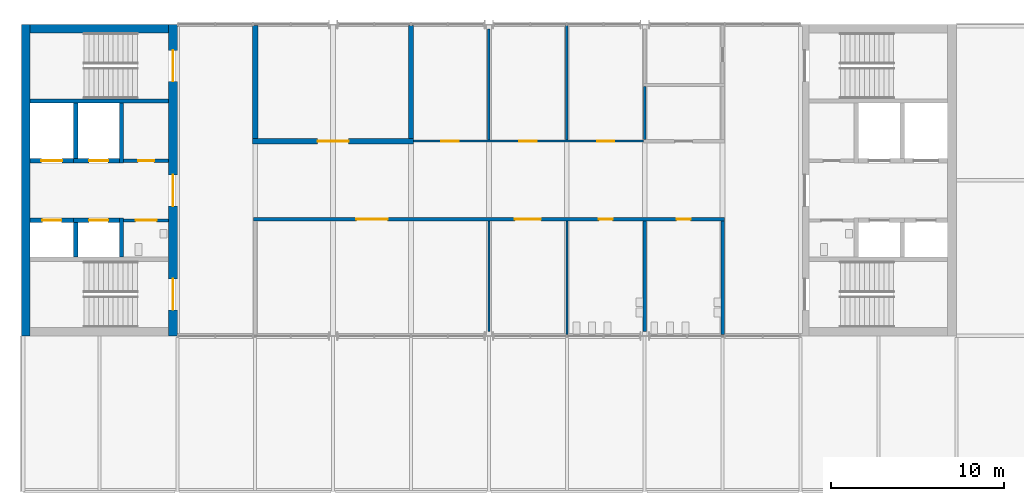
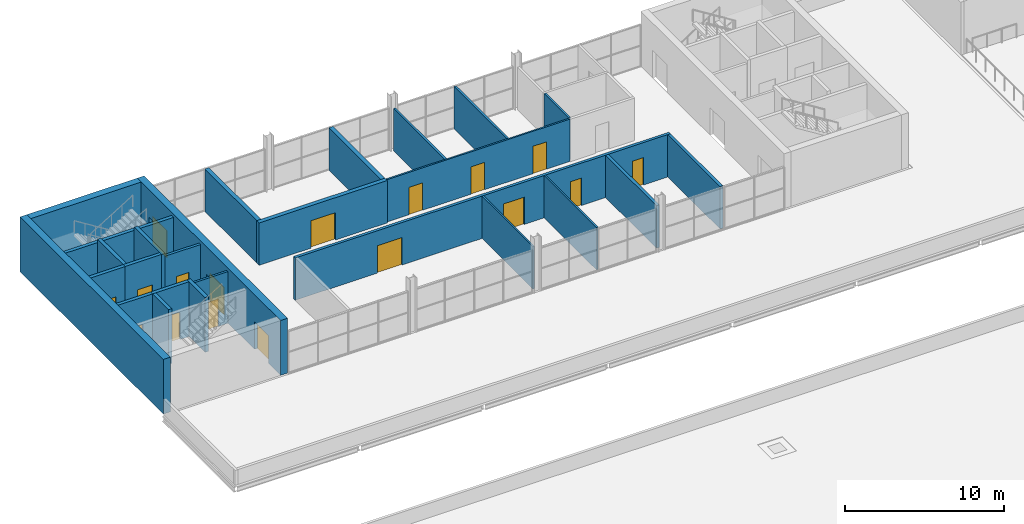
# One storey, part 43 of 50: 26 walls, 17 doors, 17 openings.
"""IFC4 building model written with IfcOpenShell, lengths in metres."""

from ifc_helpers import new_model, si_unit, direction, frame, frame_2d, origin, place, context, subcontext, project, spatial, rectangle, extrude, material, layer, layer_set, type_object, element, fill, save


model = new_model("IFC4")

# Units and contexts
model_context = context("Model", 3, precision=1e-05, world=origin(), true_north=direction((0.0, 1.0)))
body_context = subcontext(model_context, "Body", "Model", "MODEL_VIEW")
ifc_project = project(units=[si_unit("LENGTHUNIT", "METRE"), si_unit("AREAUNIT", "SQUARE_METRE"), si_unit("VOLUMEUNIT", "CUBIC_METRE"), si_unit("PLANEANGLEUNIT", "RADIAN"), si_unit("MASSUNIT", "GRAM", prefix="KILO")], contexts=[model_context])

# Site, building, storey
site_placement = place(None, origin())
site = spatial("IfcSite", under=ifc_project, at=site_placement, CompositionType="ELEMENT")
building_placement = place(site_placement, origin())
building = spatial("IfcBuilding", under=site, at=building_placement, Name="Corbel Yard City Hall", CompositionType="ELEMENT")
storey_placement = place(building_placement, frame((0.0, 0.0, 15.0)))
storey = spatial("IfcBuildingStorey", under=building, at=storey_placement, Name="L03", CompositionType="ELEMENT", Elevation=15.0)

# Walls
ifc_material_1 = material(Name="Concrete N40 (40 MPa)", Category="concrete")
ifc_layer_1 = layer(ifc_material_1, 0.25)
ifc_layer_set_1 = layer_set([ifc_layer_1], Name="Concrete N40 (40 MPa)")
wall_type_1 = type_object("IfcWallType", Name="IW2", PredefinedType="SOLIDWALL", material=ifc_layer_set_1)
wall_1_placement = place(storey_placement, frame((8.5, 112.574951171875, 0.0), z_axis=(0.0, 0.0, 1.0), x_axis=(-1.0, 0.0, 0.0)))
element("IfcWall", 1, at=wall_1_placement, inside=storey, type_object=wall_type_1, Name="Stair enclosure wall", PredefinedType="SOLIDWALL", context=body_context, shape_type="SweptSolid", body=[
    extrude(rectangle(XDim=8.0, YDim=0.25, at=frame_2d((4.0, 0.0))), origin(), (0.0, 0.0, 1.0), 3.949951171875),
])
wall_2_placement = place(storey_placement, frame((5.77490234375, 103.550048828125, 0.0), z_axis=(0.0, 0.0, 1.0), x_axis=(0.0, 1.0, 0.0)))
element("IfcWall", 2, at=wall_2_placement, inside=storey, type_object=wall_type_1, Name="Lift LP22 shaft wall", PredefinedType="SOLIDWALL", context=body_context, shape_type="SweptSolid", body=[
    extrude(rectangle(XDim=2.25, YDim=0.25, at=frame_2d((1.125, 0.0))), origin(), (0.0, 0.0, 1.0), 4.199951171875),
])
wall_3_placement = place(storey_placement, frame((3.125, 103.550048828125, 0.0), z_axis=(0.0, 0.0, 1.0), x_axis=(0.0, 1.0, 0.0)))
element("IfcWall", 3, at=wall_3_placement, inside=storey, type_object=wall_type_1, Name="Lift LP22 shaft wall", PredefinedType="SOLIDWALL", context=body_context, shape_type="SweptSolid", body=[
    extrude(rectangle(XDim=2.0, YDim=0.25, at=frame_2d((1.0, 0.0))), origin(), (0.0, 0.0, 1.0), 4.199951171875),
])

# Wall, opening, door
wall_4_placement = place(storey_placement, frame((5.64990234375, 105.675048828125, 0.0), z_axis=(0.0, 0.0, 1.0), x_axis=(-1.0, 0.0, 0.0)))
wall_4 = element("IfcWall", 4, at=wall_4_placement, inside=storey, type_object=wall_type_1, Name="Lift LP22 shaft wall", PredefinedType="SOLIDWALL", context=body_context, shape_type="SweptSolid", body=[
    extrude(rectangle(XDim=2.64990234375, YDim=0.25, at=frame_2d((1.324951171875, 0.0))), origin(), (0.0, 0.0, 1.0), 4.199951171875),
])
opening_1_placement = place(wall_4_placement, frame((0.64990234375, 0.0, 0.0)))
opening_1 = element("IfcOpeningElement", 5, at=opening_1_placement, cuts=wall_4, Name="Opening L03-018", PredefinedType="OPENING", context=body_context, shape_type="SweptSolid", body=[
    extrude(rectangle(XDim=1.10009765625, YDim=2.10009765625, at=frame_2d((0.550048828125, 1.050048828125))), frame((0.0, 0.135009765625, 0.0), z_axis=(0.0, -1.0, 0.0), x_axis=(1.0, 0.0, 0.0)), (0.0, 0.0, 1.0), 0.27001953125),
])
ifc_material_2 = material(Name="Stainless steel Grade 316", Category="steel")
door_type_1 = type_object("IfcDoorType", Name="LD1", OperationType="DOUBLE_DOOR_SLIDING", PredefinedType="DOOR", material=ifc_material_2)
door_1_placement = place(opening_1_placement, origin())
door_1 = element("IfcDoor", 6, at=door_1_placement, inside=storey, type_object=door_type_1, Name="Lift LP22 landing door", OperationType="DOUBLE_DOOR_SLIDING", OverallHeight=2.10009765625, OverallWidth=1.10009765625, PredefinedType="DOOR", context=body_context, shape_type="SweptSolid", body=[
    extrude(rectangle(XDim=1.10009765625, YDim=2.10009765625, at=frame_2d((0.550048828125, 1.050048828125))), frame((0.0, 0.02490234375, 0.0), z_axis=(0.0, -1.0, 0.0), x_axis=(1.0, 0.0, 0.0)), (0.0, 0.0, 1.0), 0.050048828125),
])
fill(opening_1, door_1)

wall_5_placement = place(storey_placement, frame((3.0, 105.675048828125, 0.0), z_axis=(0.0, 0.0, 1.0), x_axis=(-1.0, 0.0, 0.0)))
wall_5 = element("IfcWall", 7, at=wall_5_placement, inside=storey, type_object=wall_type_1, Name="Lift LP23 shaft wall", PredefinedType="SOLIDWALL", context=body_context, shape_type="SweptSolid", body=[
    extrude(rectangle(XDim=2.5, YDim=0.25, at=frame_2d((1.25, 0.0))), origin(), (0.0, 0.0, 1.0), 4.199951171875),
])
opening_2_placement = place(wall_5_placement, frame((0.699951171875, 0.0, 0.0)))
opening_2 = element("IfcOpeningElement", 8, at=opening_2_placement, cuts=wall_5, Name="Opening L03-019", PredefinedType="OPENING", context=body_context, shape_type="SweptSolid", body=[
    extrude(rectangle(XDim=1.10009765625, YDim=2.10009765625, at=frame_2d((0.550048828125, 1.050048828125))), frame((0.0, 0.135009765625, 0.0), z_axis=(0.0, -1.0, 0.0), x_axis=(1.0, 0.0, 0.0)), (0.0, 0.0, 1.0), 0.27001953125),
])
door_2_placement = place(opening_2_placement, origin())
door_2 = element("IfcDoor", 9, at=door_2_placement, inside=storey, type_object=door_type_1, Name="Lift LP23 landing door", OperationType="DOUBLE_DOOR_SLIDING", OverallHeight=2.10009765625, OverallWidth=1.10009765625, PredefinedType="DOOR", context=body_context, shape_type="SweptSolid", body=[
    extrude(rectangle(XDim=1.10009765625, YDim=2.10009765625, at=frame_2d((0.550048828125, 1.050048828125))), frame((0.0, 0.02490234375, 0.0), z_axis=(0.0, -1.0, 0.0), x_axis=(1.0, 0.0, 0.0)), (0.0, 0.0, 1.0), 0.050048828125),
])
fill(opening_2, door_2)

# Walls
wall_6_placement = place(storey_placement, frame((5.77490234375, 109.0, 0.0), z_axis=(0.0, 0.0, 1.0), x_axis=(0.0, 1.0, 0.0)))
element("IfcWall", 10, at=wall_6_placement, inside=storey, type_object=wall_type_1, Name="Lift LP24 shaft wall", PredefinedType="SOLIDWALL", context=body_context, shape_type="SweptSolid", body=[
    extrude(rectangle(XDim=3.449951171875, YDim=0.25, at=frame_2d((1.72509765625, 0.0))), origin(), (0.0, 0.0, 1.0), 4.199951171875),
])
wall_7_placement = place(storey_placement, frame((3.125, 109.25, 0.0), z_axis=(0.0, 0.0, 1.0), x_axis=(0.0, 1.0, 0.0)))
element("IfcWall", 11, at=wall_7_placement, inside=storey, type_object=wall_type_1, Name="Lift LP24 shaft wall", PredefinedType="SOLIDWALL", context=body_context, shape_type="SweptSolid", body=[
    extrude(rectangle(XDim=3.199951171875, YDim=0.25, at=frame_2d((1.60009765625, 0.0))), origin(), (0.0, 0.0, 1.0), 4.199951171875),
])

# Wall, opening, door
wall_8_placement = place(storey_placement, frame((5.64990234375, 109.125, 0.0), z_axis=(0.0, 0.0, 1.0), x_axis=(-1.0, 0.0, 0.0)))
wall_8 = element("IfcWall", 12, at=wall_8_placement, inside=storey, type_object=wall_type_1, Name="Lift LP24 shaft wall", PredefinedType="SOLIDWALL", context=body_context, shape_type="SweptSolid", body=[
    extrude(rectangle(XDim=2.64990234375, YDim=0.25, at=frame_2d((1.324951171875, 0.0))), origin(), (0.0, 0.0, 1.0), 4.199951171875),
])
opening_3_placement = place(wall_8_placement, frame((0.64990234375, 0.0, 0.0)))
opening_3 = element("IfcOpeningElement", 13, at=opening_3_placement, cuts=wall_8, Name="Opening L03-020", PredefinedType="OPENING", context=body_context, shape_type="SweptSolid", body=[
    extrude(rectangle(XDim=1.10009765625, YDim=2.10009765625, at=frame_2d((0.550048828125, 1.050048828125))), frame((0.0, 0.135009765625, 0.0), z_axis=(0.0, -1.0, 0.0), x_axis=(1.0, 0.0, 0.0)), (0.0, 0.0, 1.0), 0.27001953125),
])
door_3_placement = place(opening_3_placement, origin())
door_3 = element("IfcDoor", 14, at=door_3_placement, inside=storey, type_object=door_type_1, Name="Lift LP24 landing door", OperationType="DOUBLE_DOOR_SLIDING", OverallHeight=2.10009765625, OverallWidth=1.10009765625, PredefinedType="DOOR", context=body_context, shape_type="SweptSolid", body=[
    extrude(rectangle(XDim=1.10009765625, YDim=2.10009765625, at=frame_2d((0.550048828125, 1.050048828125))), frame((0.0, 0.02490234375, 0.0), z_axis=(0.0, -1.0, 0.0), x_axis=(1.0, 0.0, 0.0)), (0.0, 0.0, 1.0), 0.050048828125),
])
fill(opening_3, door_3)

wall_9_placement = place(storey_placement, frame((3.0, 109.125, 0.0), z_axis=(0.0, 0.0, 1.0), x_axis=(-1.0, 0.0, 0.0)))
wall_9 = element("IfcWall", 15, at=wall_9_placement, inside=storey, type_object=wall_type_1, Name="Lift LF1 shaft wall", PredefinedType="SOLIDWALL", context=body_context, shape_type="SweptSolid", body=[
    extrude(rectangle(XDim=2.5, YDim=0.25, at=frame_2d((1.25, 0.0))), origin(), (0.0, 0.0, 1.0), 4.199951171875),
])
opening_4_placement = place(wall_9_placement, frame((0.64990234375, 0.0, 0.0)))
opening_4 = element("IfcOpeningElement", 16, at=opening_4_placement, cuts=wall_9, Name="Opening L03-021", PredefinedType="OPENING", context=body_context, shape_type="SweptSolid", body=[
    extrude(rectangle(XDim=1.199951171875, YDim=2.10009765625, at=frame_2d((0.60009765625, 1.050048828125))), frame((0.0, 0.135009765625, 0.0), z_axis=(0.0, -1.0, 0.0), x_axis=(1.0, 0.0, 0.0)), (0.0, 0.0, 1.0), 0.27001953125),
])
door_type_2 = type_object("IfcDoorType", Name="LD2", OperationType="DOUBLE_DOOR_SLIDING", PredefinedType="DOOR", material=ifc_material_2)
door_4_placement = place(opening_4_placement, origin())
door_4 = element("IfcDoor", 17, at=door_4_placement, inside=storey, type_object=door_type_2, Name="Lift LF1 landing door", OperationType="DOUBLE_DOOR_SLIDING", OverallHeight=2.10009765625, OverallWidth=1.199951171875, PredefinedType="DOOR", context=body_context, shape_type="SweptSolid", body=[
    extrude(rectangle(XDim=1.199951171875, YDim=2.10009765625, at=frame_2d((0.60009765625, 1.050048828125))), frame((0.0, 0.02490234375, 0.0), z_axis=(0.0, -1.0, 0.0), x_axis=(1.0, 0.0, 0.0)), (0.0, 0.0, 1.0), 0.050048828125),
])
fill(opening_4, door_4)

# Walls
ifc_material_3 = material(Name="Gypsum plasterboard", Category="gypsum")
ifc_layer_2 = layer(ifc_material_3, 0.028076171875)
ifc_material_4 = material(Name="Steel Grade G550 (550 MPa yield)", Category="steel")
ifc_layer_3 = layer(ifc_material_4, 0.06396484375)
ifc_layer_4 = layer(ifc_material_3, 0.028076171875)
ifc_layer_set_2 = layer_set([ifc_layer_2, ifc_layer_3, ifc_layer_4], Name="Steel Grade G550 (550 MPa yield)")
wall_type_2 = type_object("IfcWallType", Name="PT1", PredefinedType="PARTITIONING", material=ifc_layer_set_2)
wall_10_placement = place(storey_placement, frame((27.0, 99.257080078125, 0.0), z_axis=(0.0, 0.0, 1.0), x_axis=(0.0, 1.0, 0.0)))
element("IfcWall", 18, at=wall_10_placement, inside=storey, type_object=wall_type_2, Name="Partition", PredefinedType="PARTITIONING", context=body_context, shape_type="SweptSolid", body=[
    extrude(rectangle(XDim=6.392822265625, YDim=0.1201171875, at=frame_2d((3.1962890625, 0.0))), origin(), (0.0, 0.0, 1.0), 3.25),
])
wall_11_placement = place(storey_placement, frame((31.5, 99.074951171875, 0.0), z_axis=(0.0, 0.0, 1.0), x_axis=(0.0, 1.0, 0.0)))
element("IfcWall", 19, at=wall_11_placement, inside=storey, type_object=wall_type_2, Name="Partition", PredefinedType="PARTITIONING", context=body_context, shape_type="SweptSolid", body=[
    extrude(rectangle(XDim=6.574951171875, YDim=0.1201171875, at=frame_2d((3.28759765625, 0.0))), origin(), (0.0, 0.0, 1.0), 3.25),
])

# Wall, openings, doors
ifc_layer_5 = layer(ifc_material_3, 0.031982421875)
ifc_layer_6 = layer(ifc_material_4, 0.135986328125)
ifc_layer_7 = layer(ifc_material_3, 0.031982421875)
ifc_layer_set_3 = layer_set([ifc_layer_5, ifc_layer_6, ifc_layer_7], Name="Steel Grade G550 (550 MPa yield)")
wall_type_3 = type_object("IfcWallType", Name="PT2", PredefinedType="PARTITIONING", material=ifc_layer_set_3)
wall_12_placement = place(storey_placement, frame((13.39990234375, 105.75, 0.0), z_axis=(0.0, 0.0, 1.0), x_axis=(1.0, 0.0, 0.0)))
wall_12 = element("IfcWall", 20, at=wall_12_placement, inside=storey, type_object=wall_type_3, Name="Acoustic wall", PredefinedType="PARTITIONING", context=body_context, shape_type="SweptSolid", body=[
    extrude(rectangle(XDim=27.2001953125, YDim=0.199951171875, at=frame_2d((13.60009765625, 0.0))), origin(), (0.0, 0.0, 1.0), 3.25),
])
opening_5_placement = place(wall_12_placement, frame((5.949951171875, 0.0, 0.0)))
opening_5 = element("IfcOpeningElement", 21, at=opening_5_placement, cuts=wall_12, Name="Opening L03-026", PredefinedType="OPENING", context=body_context, shape_type="SweptSolid", body=[
    extrude(rectangle(XDim=1.800048828125, YDim=2.10009765625, at=frame_2d((0.89990234375, 1.050048828125))), frame((0.0, 0.10986328125, 0.0), z_axis=(0.0, -1.0, 0.0), x_axis=(1.0, 0.0, 0.0)), (0.0, 0.0, 1.0), 0.219970703125),
])
opening_6_placement = place(wall_12_placement, frame((15.10009765625, 0.0, 0.0)))
opening_6 = element("IfcOpeningElement", 22, at=opening_6_placement, cuts=wall_12, Name="Opening L03-027", PredefinedType="OPENING", context=body_context, shape_type="SweptSolid", body=[
    extrude(rectangle(XDim=1.5, YDim=2.10009765625, at=frame_2d((0.75, 1.050048828125))), frame((0.0, 0.10986328125, 0.0), z_axis=(0.0, -1.0, 0.0), x_axis=(1.0, 0.0, 0.0)), (0.0, 0.0, 1.0), 0.219970703125),
])
opening_7_placement = place(wall_12_placement, frame((19.949951171875, 0.0, 0.0)))
opening_7 = element("IfcOpeningElement", 23, at=opening_7_placement, cuts=wall_12, Name="Opening L03-028", PredefinedType="OPENING", context=body_context, shape_type="SweptSolid", body=[
    extrude(rectangle(XDim=0.800048828125, YDim=2.10009765625, at=frame_2d((0.39990234375, 1.050048828125))), frame((0.0, 0.10986328125, 0.0), z_axis=(0.0, -1.0, 0.0), x_axis=(1.0, 0.0, 0.0)), (0.0, 0.0, 1.0), 0.219970703125),
])
opening_8_placement = place(wall_12_placement, frame((24.449951171875, 0.0, 0.0)))
opening_8 = element("IfcOpeningElement", 24, at=opening_8_placement, cuts=wall_12, Name="Opening L03-029", PredefinedType="OPENING", context=body_context, shape_type="SweptSolid", body=[
    extrude(rectangle(XDim=0.800048828125, YDim=2.10009765625, at=frame_2d((0.39990234375, 1.050048828125))), frame((0.0, 0.10986328125, 0.0), z_axis=(0.0, -1.0, 0.0), x_axis=(1.0, 0.0, 0.0)), (0.0, 0.0, 1.0), 0.219970703125),
])
ifc_material_5 = material(Name="Timber", Category="wood")
door_type_3 = type_object("IfcDoorType", Name="D3", OperationType="DOUBLE_DOOR_SINGLE_SWING", PredefinedType="DOOR", material=ifc_material_5)
door_5_placement = place(opening_5_placement, origin())
door_5 = element("IfcDoor", 25, at=door_5_placement, inside=storey, type_object=door_type_3, Name="Door Staff Restaurant 0304", OperationType="DOUBLE_DOOR_SINGLE_SWING", OverallHeight=2.10009765625, OverallWidth=1.800048828125, PredefinedType="DOOR", context=body_context, shape_type="SweptSolid", body=[
    extrude(rectangle(XDim=1.800048828125, YDim=2.10009765625, at=frame_2d((0.89990234375, 1.050048828125))), frame((0.0, 0.02490234375, 0.0), z_axis=(0.0, -1.0, 0.0), x_axis=(1.0, 0.0, 0.0)), (0.0, 0.0, 1.0), 0.050048828125),
])
fill(opening_5, door_5)
door_type_4 = type_object("IfcDoorType", Name="D43", OperationType="DOUBLE_DOOR_SINGLE_SWING", PredefinedType="DOOR", material=ifc_material_5)
door_6_placement = place(opening_6_placement, origin())
door_6 = element("IfcDoor", 26, at=door_6_placement, inside=storey, type_object=door_type_4, Name="Door Staff Kitchen 0305", OperationType="DOUBLE_DOOR_SINGLE_SWING", OverallHeight=2.10009765625, OverallWidth=1.5, PredefinedType="DOOR", context=body_context, shape_type="SweptSolid", body=[
    extrude(rectangle(XDim=1.5, YDim=2.10009765625, at=frame_2d((0.75, 1.050048828125))), frame((0.0, 0.02490234375, 0.0), z_axis=(0.0, -1.0, 0.0), x_axis=(1.0, 0.0, 0.0)), (0.0, 0.0, 1.0), 0.050048828125),
])
fill(opening_6, door_6)
door_type_5 = type_object("IfcDoorType", Name="D44", OperationType="SINGLE_SWING_LEFT", PredefinedType="DOOR", material=ifc_material_5)
door_7_placement = place(opening_7_placement, frame((0.800048828125, 0.0, 0.0), z_axis=(0.0, 0.0, 1.0), x_axis=(-1.0, 0.0, 0.0)))
door_7 = element("IfcDoor", 27, at=door_7_placement, inside=storey, type_object=door_type_5, Name="Door Women's WC 0306", OperationType="SINGLE_SWING_LEFT", OverallHeight=2.10009765625, OverallWidth=0.800048828125, PredefinedType="DOOR", context=body_context, shape_type="SweptSolid", body=[
    extrude(rectangle(XDim=0.800048828125, YDim=2.10009765625, at=frame_2d((0.39990234375, 1.050048828125))), frame((0.0, 0.02490234375, 0.0), z_axis=(0.0, -1.0, 0.0), x_axis=(1.0, 0.0, 0.0)), (0.0, 0.0, 1.0), 0.050048828125),
])
fill(opening_7, door_7)
door_8_placement = place(opening_8_placement, frame((0.800048828125, 0.0, 0.0), z_axis=(0.0, 0.0, 1.0), x_axis=(-1.0, 0.0, 0.0)))
door_8 = element("IfcDoor", 28, at=door_8_placement, inside=storey, type_object=door_type_5, Name="Door Men's WC 0307", OperationType="SINGLE_SWING_RIGHT", OverallHeight=2.10009765625, OverallWidth=0.800048828125, PredefinedType="DOOR", context=body_context, shape_type="SweptSolid", body=[
    extrude(rectangle(XDim=0.800048828125, YDim=2.10009765625, at=frame_2d((0.39990234375, 1.050048828125))), frame((0.0, 0.02490234375, 0.0), z_axis=(0.0, -1.0, 0.0), x_axis=(1.0, 0.0, 0.0)), (0.0, 0.0, 1.0), 0.050048828125),
])
fill(opening_8, door_8)

# Wall
wall_13_placement = place(storey_placement, frame((40.5, 99.074951171875, 0.0), z_axis=(0.0, 0.0, 1.0), x_axis=(0.0, 1.0, 0.0)))
element("IfcWall", 29, at=wall_13_placement, inside=storey, type_object=wall_type_3, Name="Acoustic wall", PredefinedType="PARTITIONING", context=body_context, shape_type="SweptSolid", body=[
    extrude(rectangle(XDim=6.574951171875, YDim=0.199951171875, at=frame_2d((3.28759765625, 0.0))), origin(), (0.0, 0.0, 1.0), 3.25),
])

# Wall, opening, door
ifc_layer_8 = layer(ifc_material_3, 0.031982421875)
ifc_layer_9 = layer(ifc_material_4, 0.095947265625)
ifc_layer_10 = layer(ifc_material_3, 0.031982421875)
ifc_layer_set_4 = layer_set([ifc_layer_8, ifc_layer_9, ifc_layer_10], Name="Steel Grade G550 (550 MPa yield)")
wall_type_4 = type_object("IfcWallType", Name="PT3", PredefinedType="PARTITIONING", material=ifc_layer_set_4)
wall_14_placement = place(storey_placement, frame((8.5, 105.675048828125, 0.0), z_axis=(0.0, 0.0, 1.0), x_axis=(-1.0, 0.0, 0.0)))
wall_14 = element("IfcWall", 30, at=wall_14_placement, inside=storey, type_object=wall_type_4, Name="Accessible WC wall", PredefinedType="PARTITIONING", context=body_context, shape_type="SweptSolid", body=[
    extrude(rectangle(XDim=2.60009765625, YDim=0.159912109375, at=frame_2d((1.300048828125, 0.0))), origin(), (0.0, 0.0, 1.0), 3.949951171875),
])
opening_9_placement = place(wall_14_placement, frame((0.699951171875, 0.0, 0.0)))
opening_9 = element("IfcOpeningElement", 31, at=opening_9_placement, cuts=wall_14, Name="Opening L03-039", PredefinedType="OPENING", context=body_context, shape_type="SweptSolid", body=[
    extrude(rectangle(XDim=1.199951171875, YDim=2.10009765625, at=frame_2d((0.60009765625, 1.050048828125))), frame((0.0, 0.08984375, 0.0), z_axis=(0.0, -1.0, 0.0), x_axis=(1.0, 0.0, 0.0)), (0.0, 0.0, 1.0), 0.179931640625),
])
ifc_material_6 = material(Name="Steel Grade G250", Category="steel")
door_type_6 = type_object("IfcDoorType", Name="FD7", OperationType="SINGLE_SWING_LEFT", PredefinedType="DOOR", material=ifc_material_6)
door_9_placement = place(opening_9_placement, origin())
door_9 = element("IfcDoor", 32, at=door_9_placement, inside=storey, type_object=door_type_6, Name="Door accessible WC West", OperationType="SINGLE_SWING_LEFT", OverallHeight=2.10009765625, OverallWidth=1.199951171875, PredefinedType="DOOR", context=body_context, shape_type="SweptSolid", body=[
    extrude(rectangle(XDim=1.199951171875, YDim=2.10009765625, at=frame_2d((0.60009765625, 1.050048828125))), frame((0.0, 0.02490234375, 0.0), z_axis=(0.0, -1.0, 0.0), x_axis=(1.0, 0.0, 0.0)), (0.0, 0.0, 1.0), 0.050048828125),
])
fill(opening_9, door_9)

ifc_material_7 = material(Name="Concrete block", Category="concrete")
ifc_layer_11 = layer(ifc_material_7, 0.18994140625)
ifc_layer_set_5 = layer_set([ifc_layer_11], Name="Concrete block")
wall_type_5 = type_object("IfcWallType", Name="PT4", PredefinedType="PARTITIONING", material=ifc_layer_set_5)
wall_15_placement = place(storey_placement, frame((8.5, 109.125, 0.0), z_axis=(0.0, 0.0, 1.0), x_axis=(-1.0, 0.0, 0.0)))
wall_15 = element("IfcWall", 33, at=wall_15_placement, inside=storey, type_object=wall_type_5, Name="Riser wall", PredefinedType="PARTITIONING", context=body_context, shape_type="SweptSolid", body=[
    extrude(rectangle(XDim=2.60009765625, YDim=0.18994140625, at=frame_2d((1.300048828125, 0.0))), origin(), (0.0, 0.0, 1.0), 3.949951171875),
])
opening_10_placement = place(wall_15_placement, frame((0.840087890625, 0.0, 0.0)))
opening_10 = element("IfcOpeningElement", 34, at=opening_10_placement, cuts=wall_15, Name="Opening L03-040", PredefinedType="OPENING", context=body_context, shape_type="SweptSolid", body=[
    extrude(rectangle(XDim=0.919921875, YDim=2.10009765625, at=frame_2d((0.4599609375, 1.050048828125))), frame((0.0, 0.10498046875, 0.0), z_axis=(0.0, -1.0, 0.0), x_axis=(1.0, 0.0, 0.0)), (0.0, 0.0, 1.0), 0.2099609375),
])
door_type_7 = type_object("IfcDoorType", Name="FS4", OperationType="SINGLE_SWING_LEFT", PredefinedType="DOOR", material=ifc_material_6)
door_10_placement = place(opening_10_placement, frame((0.919921875, 0.0, 0.0), z_axis=(0.0, 0.0, 1.0), x_axis=(-1.0, 0.0, 0.0)))
door_10 = element("IfcDoor", 35, at=door_10_placement, inside=storey, type_object=door_type_7, Name="Door riser West", OperationType="SINGLE_SWING_RIGHT", OverallHeight=2.10009765625, OverallWidth=0.919921875, PredefinedType="DOOR", context=body_context, shape_type="SweptSolid", body=[
    extrude(rectangle(XDim=0.919921875, YDim=2.10009765625, at=frame_2d((0.4599609375, 1.050048828125))), frame((0.0, 0.02490234375, 0.0), z_axis=(0.0, -1.0, 0.0), x_axis=(1.0, 0.0, 0.0)), (0.0, 0.0, 1.0), 0.050048828125),
])
fill(opening_10, door_10)

ifc_layer_12 = layer(ifc_material_3, 0.031982421875)
ifc_layer_13 = layer(ifc_material_4, 0.236083984375)
ifc_layer_14 = layer(ifc_material_3, 0.031982421875)
ifc_layer_set_6 = layer_set([ifc_layer_12, ifc_layer_13, ifc_layer_14], Name="Steel Grade G550 (550 MPa yield)")
wall_type_6 = type_object("IfcWallType", Name="PT40", PredefinedType="PARTITIONING", material=ifc_layer_set_6)
wall_16_placement = place(storey_placement, frame((13.35009765625, 110.25, 0.0), z_axis=(0.0, 0.0, 1.0), x_axis=(1.0, 0.0, 0.0)))
wall_16 = element("IfcWall", 36, at=wall_16_placement, inside=storey, type_object=wall_type_6, Name="Acoustic partition", PredefinedType="PARTITIONING", context=body_context, shape_type="SweptSolid", body=[
    extrude(rectangle(XDim=9.2998046875, YDim=0.300048828125, at=frame_2d((4.64990234375, 0.0))), origin(), (0.0, 0.0, 1.0), 3.25),
])
opening_11_placement = place(wall_16_placement, frame((3.75, 0.0, 0.0)))
opening_11 = element("IfcOpeningElement", 37, at=opening_11_placement, cuts=wall_16, Name="Opening L03-030", PredefinedType="OPENING", context=body_context, shape_type="SweptSolid", body=[
    extrude(rectangle(XDim=1.800048828125, YDim=2.10009765625, at=frame_2d((0.89990234375, 1.050048828125))), frame((0.0, 0.159912109375, 0.0), z_axis=(0.0, -1.0, 0.0), x_axis=(1.0, 0.0, 0.0)), (0.0, 0.0, 1.0), 0.320068359375),
])
door_11_placement = place(opening_11_placement, origin())
door_11 = element("IfcDoor", 38, at=door_11_placement, inside=storey, type_object=door_type_3, Name="Door Training Room 0308", OperationType="DOUBLE_DOOR_SINGLE_SWING", OverallHeight=2.10009765625, OverallWidth=1.800048828125, PredefinedType="DOOR", context=body_context, shape_type="SweptSolid", body=[
    extrude(rectangle(XDim=1.800048828125, YDim=2.10009765625, at=frame_2d((0.89990234375, 1.050048828125))), frame((0.0, 0.02490234375, 0.0), z_axis=(0.0, -1.0, 0.0), x_axis=(1.0, 0.0, 0.0)), (0.0, 0.0, 1.0), 0.050048828125),
])
fill(opening_11, door_11)

# Walls
for number, where, z_axis, x_axis, name in (
    (39, (13.5, 110.39990234375, 0.0), (0.0, 0.0, 1.0), (0.0, 1.0, 0.0), "Acoustic partition"),
    (40, (22.5, 110.39990234375, 0.0), (0.0, 0.0, 1.0), (0.0, 1.0, 0.0), "Acoustic partition"),
):
    element("IfcWall", number, at=place(storey_placement, frame(where, z_axis=z_axis, x_axis=x_axis)), inside=storey, type_object=wall_type_6, Name=name, PredefinedType="PARTITIONING", context=body_context, shape_type="SweptSolid", body=[
        extrude(rectangle(XDim=6.525146484375, YDim=0.300048828125, at=frame_2d((3.2626953125, 0.0))), origin(), (0.0, 0.0, 1.0), 3.25),
    ])

# Wall, openings, doors
ifc_material_8 = material(Name="Glass", Category="glass")
ifc_layer_15 = layer(ifc_material_8, 0.1201171875)
ifc_layer_set_7 = layer_set([ifc_layer_15], Name="Glass")
wall_type_7 = type_object("IfcWallType", Name="PT41", PredefinedType="PARTITIONING", material=ifc_layer_set_7)
wall_17_placement = place(storey_placement, frame((22.64990234375, 110.25, 0.0), z_axis=(0.0, 0.0, 1.0), x_axis=(1.0, 0.0, 0.0)))
wall_17 = element("IfcWall", 41, at=wall_17_placement, inside=storey, type_object=wall_type_7, Name="Glazed partition", PredefinedType="PARTITIONING", context=body_context, shape_type="SweptSolid", body=[
    extrude(rectangle(XDim=13.275146484375, YDim=0.1201171875, at=frame_2d((6.6376953125, 0.0))), origin(), (0.0, 0.0, 1.0), 3.25),
])
opening_12_placement = place(wall_17_placement, frame((1.60009765625, 0.0, 0.0)))
opening_12 = element("IfcOpeningElement", 42, at=opening_12_placement, cuts=wall_17, Name="Opening L03-031", PredefinedType="OPENING", context=body_context, shape_type="SweptSolid", body=[
    extrude(rectangle(XDim=1.0, YDim=2.10009765625, at=frame_2d((0.5, 1.050048828125))), frame((0.0, 0.070068359375, 0.0), z_axis=(0.0, -1.0, 0.0), x_axis=(1.0, 0.0, 0.0)), (0.0, 0.0, 1.0), 0.14013671875),
])
opening_13_placement = place(wall_17_placement, frame((6.10009765625, 0.0, 0.0)))
opening_13 = element("IfcOpeningElement", 43, at=opening_13_placement, cuts=wall_17, Name="Opening L03-032", PredefinedType="OPENING", context=body_context, shape_type="SweptSolid", body=[
    extrude(rectangle(XDim=1.0, YDim=2.10009765625, at=frame_2d((0.5, 1.050048828125))), frame((0.0, 0.070068359375, 0.0), z_axis=(0.0, -1.0, 0.0), x_axis=(1.0, 0.0, 0.0)), (0.0, 0.0, 1.0), 0.14013671875),
])
opening_14_placement = place(wall_17_placement, frame((10.60009765625, 0.0, 0.0)))
opening_14 = element("IfcOpeningElement", 44, at=opening_14_placement, cuts=wall_17, Name="Opening L03-033", PredefinedType="OPENING", context=body_context, shape_type="SweptSolid", body=[
    extrude(rectangle(XDim=1.0, YDim=2.10009765625, at=frame_2d((0.5, 1.050048828125))), frame((0.0, 0.070068359375, 0.0), z_axis=(0.0, -1.0, 0.0), x_axis=(1.0, 0.0, 0.0)), (0.0, 0.0, 1.0), 0.14013671875),
])
door_type_8 = type_object("IfcDoorType", Name="D1", OperationType="SINGLE_SWING_LEFT", PredefinedType="DOOR", material=ifc_material_5)
door_12_placement = place(opening_12_placement, origin())
door_12 = element("IfcDoor", 45, at=door_12_placement, inside=storey, type_object=door_type_8, Name="Door Meeting Room 0309", OperationType="SINGLE_SWING_LEFT", OverallHeight=2.10009765625, OverallWidth=1.0, PredefinedType="DOOR", context=body_context, shape_type="SweptSolid", body=[
    extrude(rectangle(XDim=1.0, YDim=2.10009765625, at=frame_2d((0.5, 1.050048828125))), frame((0.0, 0.02490234375, 0.0), z_axis=(0.0, -1.0, 0.0), x_axis=(1.0, 0.0, 0.0)), (0.0, 0.0, 1.0), 0.050048828125),
])
fill(opening_12, door_12)
door_13_placement = place(opening_13_placement, origin())
door_13 = element("IfcDoor", 46, at=door_13_placement, inside=storey, type_object=door_type_8, Name="Door Meeting Room 0310", OperationType="SINGLE_SWING_LEFT", OverallHeight=2.10009765625, OverallWidth=1.0, PredefinedType="DOOR", context=body_context, shape_type="SweptSolid", body=[
    extrude(rectangle(XDim=1.0, YDim=2.10009765625, at=frame_2d((0.5, 1.050048828125))), frame((0.0, 0.02490234375, 0.0), z_axis=(0.0, -1.0, 0.0), x_axis=(1.0, 0.0, 0.0)), (0.0, 0.0, 1.0), 0.050048828125),
])
fill(opening_13, door_13)
door_14_placement = place(opening_14_placement, origin())
door_14 = element("IfcDoor", 47, at=door_14_placement, inside=storey, type_object=door_type_8, Name="Door Meeting Room 0311", OperationType="SINGLE_SWING_LEFT", OverallHeight=2.10009765625, OverallWidth=1.0, PredefinedType="DOOR", context=body_context, shape_type="SweptSolid", body=[
    extrude(rectangle(XDim=1.0, YDim=2.10009765625, at=frame_2d((0.5, 1.050048828125))), frame((0.0, 0.02490234375, 0.0), z_axis=(0.0, -1.0, 0.0), x_axis=(1.0, 0.0, 0.0)), (0.0, 0.0, 1.0), 0.050048828125),
])
fill(opening_14, door_14)

# Walls
ifc_layer_16 = layer(ifc_material_3, 0.031982421875)
ifc_layer_17 = layer(ifc_material_4, 0.156005859375)
ifc_layer_18 = layer(ifc_material_3, 0.031982421875)
ifc_layer_set_8 = layer_set([ifc_layer_16, ifc_layer_17, ifc_layer_18], Name="Steel Grade G550 (550 MPa yield)")
wall_type_8 = type_object("IfcWallType", Name="PT5", PredefinedType="PLUMBINGWALL", material=ifc_layer_set_8)
wall_18_placement = place(storey_placement, frame((36.0, 99.257080078125, 0.0), z_axis=(0.0, 0.0, 1.0), x_axis=(0.0, 1.0, 0.0)))
element("IfcWall", 48, at=wall_18_placement, inside=storey, type_object=wall_type_8, Name="Wet wall", PredefinedType="PLUMBINGWALL", context=body_context, shape_type="SweptSolid", body=[
    extrude(rectangle(XDim=6.392822265625, YDim=0.219970703125, at=frame_2d((3.1962890625, 0.0))), origin(), (0.0, 0.0, 1.0), 3.25),
])
ifc_layer_19 = layer(ifc_material_3, 0.031982421875)
ifc_layer_20 = layer(ifc_material_4, 0.0859375)
ifc_layer_21 = layer(ifc_material_3, 0.031982421875)
ifc_layer_set_9 = layer_set([ifc_layer_19, ifc_layer_20, ifc_layer_21], Name="Steel Grade G550 (550 MPa yield)")
wall_type_9 = type_object("IfcWallType", Name="PT7", PredefinedType="PARTITIONING", material=ifc_layer_set_9)
wall_19_placement = place(storey_placement, frame((27.0, 110.31005859375, 0.0), z_axis=(0.0, 0.0, 1.0), x_axis=(0.0, 1.0, 0.0)))
element("IfcWall", 49, at=wall_19_placement, inside=storey, type_object=wall_type_9, Name="Suite partition", PredefinedType="PARTITIONING", context=body_context, shape_type="SweptSolid", body=[
    extrude(rectangle(XDim=6.432861328125, YDim=0.14990234375, at=frame_2d((3.21630859375, 0.0))), origin(), (0.0, 0.0, 1.0), 3.25),
])
wall_20_placement = place(storey_placement, frame((31.5, 110.31005859375, 0.0), z_axis=(0.0, 0.0, 1.0), x_axis=(0.0, 1.0, 0.0)))
element("IfcWall", 50, at=wall_20_placement, inside=storey, type_object=wall_type_9, Name="Suite partition", PredefinedType="PARTITIONING", context=body_context, shape_type="SweptSolid", body=[
    extrude(rectangle(XDim=6.614990234375, YDim=0.14990234375, at=frame_2d((3.3076171875, 0.0))), origin(), (0.0, 0.0, 1.0), 3.25),
])
wall_21_placement = place(storey_placement, frame((36.0, 110.35009765625, 0.0), z_axis=(0.0, 0.0, 1.0), x_axis=(0.0, 1.0, 0.0)))
element("IfcWall", 51, at=wall_21_placement, inside=storey, type_object=wall_type_9, Name="Suite partition", PredefinedType="PARTITIONING", context=body_context, shape_type="SweptSolid", body=[
    extrude(rectangle(XDim=3.06982421875, YDim=0.14990234375, at=frame_2d((1.534912109375, 0.0))), origin(), (0.0, 0.0, 1.0), 3.25),
])
ifc_material_9 = material(Name="Concrete N50 (50 MPa)", Category="concrete")
ifc_layer_22 = layer(ifc_material_9, 0.5)
ifc_layer_set_10 = layer_set([ifc_layer_22], Name="Concrete N50 (50 MPa)")
wall_type_10 = type_object("IfcWallType", Name="Trunk wall 500", PredefinedType="SHEAR", material=ifc_layer_set_10)
wall_22_placement = place(storey_placement, frame((0.25, 99.0, 0.0), z_axis=(0.0, 0.0, 1.0), x_axis=(0.0, 1.0, 0.0)))
element("IfcWall", 52, at=wall_22_placement, inside=storey, type_object=wall_type_10, Name="Trunk W west wall", PredefinedType="SHEAR", context=body_context, shape_type="SweptSolid", body=[
    extrude(rectangle(XDim=18.0, YDim=0.5, at=frame_2d((9.0, 0.0))), origin(), (0.0, 0.0, 1.0), 4.199951171875),
])

# Wall, openings, doors
wall_23_placement = place(storey_placement, frame((8.75, 99.0, 0.0), z_axis=(0.0, 0.0, 1.0), x_axis=(0.0, 1.0, 0.0)))
wall_23 = element("IfcWall", 53, at=wall_23_placement, inside=storey, type_object=wall_type_10, Name="Trunk W east wall", PredefinedType="SHEAR", context=body_context, shape_type="SweptSolid", body=[
    extrude(rectangle(XDim=18.0, YDim=0.5, at=frame_2d((9.0, 0.0))), origin(), (0.0, 0.0, 1.0), 4.199951171875),
])
opening_15_placement = place(wall_23_placement, frame((1.5, 0.0, 0.0)))
opening_15 = element("IfcOpeningElement", 54, at=opening_15_placement, cuts=wall_23, Name="Opening L03-036", PredefinedType="OPENING", context=body_context, shape_type="SweptSolid", body=[
    extrude(rectangle(XDim=1.800048828125, YDim=2.10009765625, at=frame_2d((0.89990234375, 1.050048828125))), frame((0.0, 0.260009765625, 0.0), z_axis=(0.0, -1.0, 0.0), x_axis=(1.0, 0.0, 0.0)), (0.0, 0.0, 1.0), 0.52001953125),
])
opening_16_placement = place(wall_23_placement, frame((14.699951171875, 0.0, 0.0)))
opening_16 = element("IfcOpeningElement", 55, at=opening_16_placement, cuts=wall_23, Name="Opening L03-037", PredefinedType="OPENING", context=body_context, shape_type="SweptSolid", body=[
    extrude(rectangle(XDim=1.800048828125, YDim=2.10009765625, at=frame_2d((0.89990234375, 1.050048828125))), frame((0.0, 0.260009765625, 0.0), z_axis=(0.0, -1.0, 0.0), x_axis=(1.0, 0.0, 0.0)), (0.0, 0.0, 1.0), 0.52001953125),
])
opening_17_placement = place(wall_23_placement, frame((7.5, 0.0, 0.0)))
opening_17 = element("IfcOpeningElement", 56, at=opening_17_placement, cuts=wall_23, Name="Opening L03-038", PredefinedType="OPENING", context=body_context, shape_type="SweptSolid", body=[
    extrude(rectangle(XDim=1.800048828125, YDim=2.10009765625, at=frame_2d((0.89990234375, 1.050048828125))), frame((0.0, 0.260009765625, 0.0), z_axis=(0.0, -1.0, 0.0), x_axis=(1.0, 0.0, 0.0)), (0.0, 0.0, 1.0), 0.52001953125),
])
door_type_9 = type_object("IfcDoorType", Name="FS3", OperationType="DOUBLE_DOOR_SINGLE_SWING", PredefinedType="DOOR", material=ifc_material_6)
door_15_placement = place(opening_15_placement, origin())
door_15 = element("IfcDoor", 57, at=door_15_placement, inside=storey, type_object=door_type_9, Name="Door ST-W1", OperationType="DOUBLE_DOOR_SINGLE_SWING", OverallHeight=2.10009765625, OverallWidth=1.800048828125, PredefinedType="DOOR", context=body_context, shape_type="SweptSolid", body=[
    extrude(rectangle(XDim=1.800048828125, YDim=2.10009765625, at=frame_2d((0.89990234375, 1.050048828125))), frame((0.0, 0.02490234375, 0.0), z_axis=(0.0, -1.0, 0.0), x_axis=(1.0, 0.0, 0.0)), (0.0, 0.0, 1.0), 0.050048828125),
])
fill(opening_15, door_15)
door_16_placement = place(opening_16_placement, origin())
door_16 = element("IfcDoor", 58, at=door_16_placement, inside=storey, type_object=door_type_9, Name="Door ST-W2", OperationType="DOUBLE_DOOR_SINGLE_SWING", OverallHeight=2.10009765625, OverallWidth=1.800048828125, PredefinedType="DOOR", context=body_context, shape_type="SweptSolid", body=[
    extrude(rectangle(XDim=1.800048828125, YDim=2.10009765625, at=frame_2d((0.89990234375, 1.050048828125))), frame((0.0, 0.02490234375, 0.0), z_axis=(0.0, -1.0, 0.0), x_axis=(1.0, 0.0, 0.0)), (0.0, 0.0, 1.0), 0.050048828125),
])
fill(opening_16, door_16)
door_17_placement = place(opening_17_placement, origin())
door_17 = element("IfcDoor", 59, at=door_17_placement, inside=storey, type_object=door_type_9, Name="Door lift lobby West", OperationType="DOUBLE_DOOR_SINGLE_SWING", OverallHeight=2.10009765625, OverallWidth=1.800048828125, PredefinedType="DOOR", context=body_context, shape_type="SweptSolid", body=[
    extrude(rectangle(XDim=1.800048828125, YDim=2.10009765625, at=frame_2d((0.89990234375, 1.050048828125))), frame((0.0, 0.02490234375, 0.0), z_axis=(0.0, -1.0, 0.0), x_axis=(1.0, 0.0, 0.0)), (0.0, 0.0, 1.0), 0.050048828125),
])
fill(opening_17, door_17)

# Wall
wall_24_placement = place(storey_placement, frame((0.5, 116.75, 0.0), z_axis=(0.0, 0.0, 1.0), x_axis=(1.0, 0.0, 0.0)))
element("IfcWall", 60, at=wall_24_placement, inside=storey, type_object=wall_type_10, Name="Trunk W north wall", PredefinedType="SHEAR", context=body_context, shape_type="SweptSolid", body=[
    extrude(rectangle(XDim=8.0, YDim=0.5, at=frame_2d((4.0, 0.0))), origin(), (0.0, 0.0, 1.0), 4.199951171875),
])

save(model, "model.ifc")
